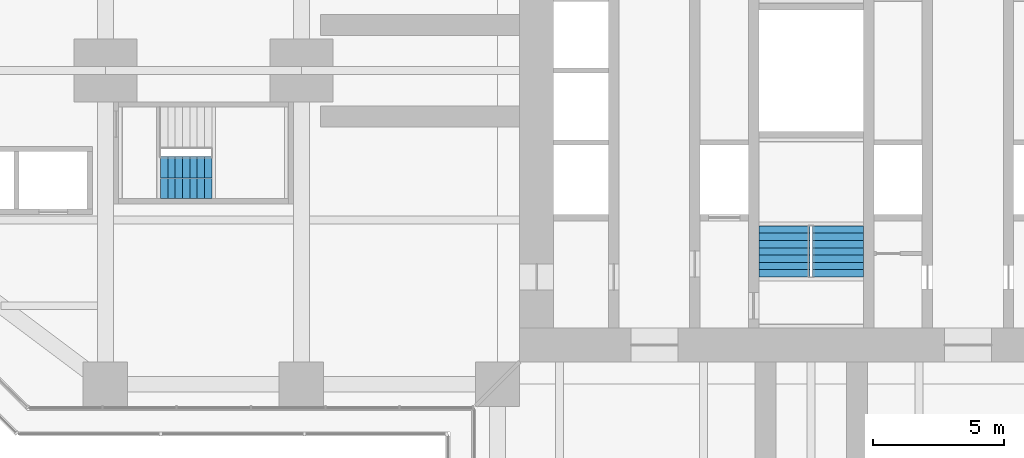
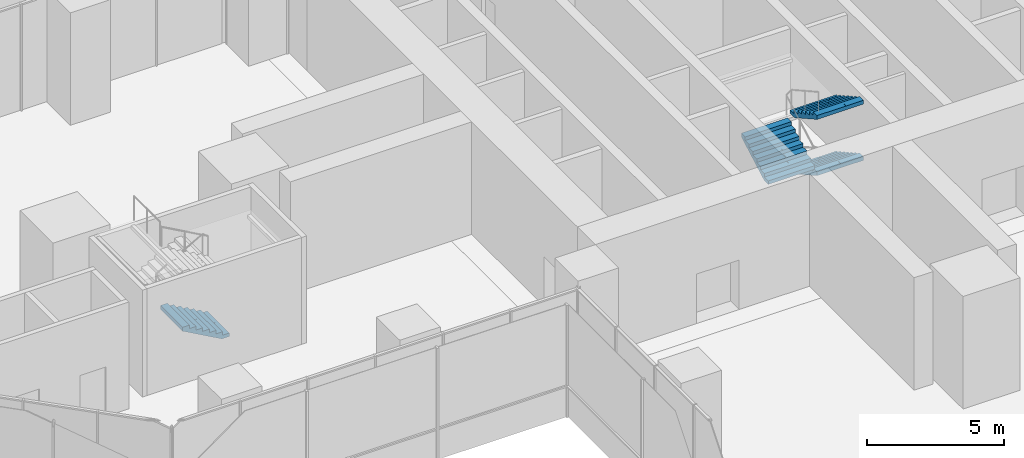
# One storey, part 19 of 23: 4 stair flights, 2 elements without a shape of their own.
"""IFC4 building model written with IfcOpenShell, lengths in metres."""

from ifc_helpers import new_model, si_unit, direction, frame, origin, place, context, subcontext, project, spatial, polyline, outline, extrude, material, type_object, element, aggregate, save


model = new_model("IFC4")

# Units and contexts
model_context = context("Model", 3, precision=1e-05, world=origin(), true_north=direction((0.0, 1.0)))
body_context = subcontext(model_context, "Body", "Model", "MODEL_VIEW")
ifc_project = project(units=[si_unit("LENGTHUNIT", "METRE"), si_unit("AREAUNIT", "SQUARE_METRE"), si_unit("VOLUMEUNIT", "CUBIC_METRE"), si_unit("PLANEANGLEUNIT", "RADIAN"), si_unit("MASSUNIT", "GRAM", prefix="KILO")], contexts=[model_context])

# Site, building, storey
site_placement = place(None, origin())
site = spatial("IfcSite", under=ifc_project, at=site_placement, CompositionType="ELEMENT")
building_placement = place(site_placement, origin())
building = spatial("IfcBuilding", under=site, at=building_placement, Name="Mizan Broadcast Tower", CompositionType="ELEMENT")
storey_placement = place(building_placement, frame((0.0, 0.0, 28.0)))
storey = spatial("IfcBuildingStorey", under=building, at=storey_placement, Name="L04", CompositionType="ELEMENT", Elevation=28.0)

# Stair, stair flights
ifc_material_1 = material(Name="Concrete C40/50", Category="concrete")
stair_type = type_object("IfcStairType", Name="EXIT STAIR", PredefinedType="HALF_TURN_STAIR", material=ifc_material_1)
stair_1_placement = place(storey_placement, origin())
stair_1 = element("IfcStair", 1, at=stair_1_placement, inside=storey, type_object=stair_type, Name="Stair A L04", PredefinedType="HALF_TURN_STAIR")
ifc_material_2 = material(Name="Concrete C40/50", Category="concrete")
stair_flight_type = type_object("IfcStairFlightType", Name="EXIT STAIR FLIGHT", PredefinedType="STRAIGHT", material=ifc_material_2)
stair_flight_1_placement = place(storey_placement, frame((1.02490234375, -5.93994140625, 1.25), z_axis=(0.0, 0.0, 1.0), x_axis=(0.0, -1.0, 0.0)))
stair_flight_1 = element("IfcStairFlight", 2, at=stair_flight_1_placement, type_object=stair_flight_type, Name="A flight 2", NumberOfRisers=8, NumberOfTreads=7, PredefinedType="STRAIGHT", RiserHeight=0.15625, TreadLength=0.28, context=body_context, shape_type="SweptSolid", body=[
    extrude(outline(polyline([(0.0, 0.0), (0.0, 0.15625), (0.280029296875, 0.15625), (0.280029296875, 0.3125), (0.56005859375, 0.3125), (0.56005859375, 0.46875), (0.840087890625, 0.46875), (0.840087890625, 0.625), (1.1201171875, 0.625), (1.1201171875, 0.78125), (1.39990234375, 0.78125), (1.39990234375, 0.9375), (1.679931640625, 0.9375), (1.679931640625, 1.09375), (1.9599609375, 1.09375), (1.9599609375, 1.25), (1.9599609375, 0.922119140625), (0.3076171875, 0.0), (0.0, 0.0)])), frame((0.0, 0.97509765625, 0.0), z_axis=(0.0, -1.0, 0.0), x_axis=(1.0, 0.0, 0.0)), (0.0, 0.0, 1.0), 0.4873046875),
    extrude(outline(polyline([(0.0, 0.0), (0.0, 0.15625), (0.280029296875, 0.15625), (0.280029296875, 0.3125), (0.56005859375, 0.3125), (0.56005859375, 0.46875), (0.840087890625, 0.46875), (0.840087890625, 0.625), (1.1201171875, 0.625), (1.1201171875, 0.78125), (1.39990234375, 0.78125), (1.39990234375, 0.9375), (1.679931640625, 0.9375), (1.679931640625, 1.09375), (1.9599609375, 1.09375), (1.9599609375, 1.25), (1.9599609375, 0.922119140625), (0.3076171875, 0.0), (0.0, 0.0)])), frame((0.0, 0.4873046875, 0.0), z_axis=(0.0, -1.0, 0.0), x_axis=(1.0, 0.0, 0.0)), (0.0, 0.0, 1.0), 0.2431640625),
    extrude(outline(polyline([(0.0, 0.0), (0.0, 0.15625), (0.280029296875, 0.15625), (0.280029296875, 0.3125), (0.56005859375, 0.3125), (0.56005859375, 0.46875), (0.840087890625, 0.46875), (0.840087890625, 0.625), (1.1201171875, 0.625), (1.1201171875, 0.78125), (1.39990234375, 0.78125), (1.39990234375, 0.9375), (1.679931640625, 0.9375), (1.679931640625, 1.09375), (1.9599609375, 1.09375), (1.9599609375, 1.25), (1.9599609375, 0.922119140625), (0.3076171875, 0.0), (0.0, 0.0)])), frame((0.0, 0.24365234375, 0.0), z_axis=(0.0, -1.0, 0.0), x_axis=(1.0, 0.0, 0.0)), (0.0, 0.0, 1.0), 0.121337890625),
    extrude(outline(polyline([(0.0, 0.0), (0.0, 0.15625), (0.280029296875, 0.15625), (0.280029296875, 0.3125), (0.56005859375, 0.3125), (0.56005859375, 0.46875), (0.840087890625, 0.46875), (0.840087890625, 0.625), (1.1201171875, 0.625), (1.1201171875, 0.78125), (1.39990234375, 0.78125), (1.39990234375, 0.9375), (1.679931640625, 0.9375), (1.679931640625, 1.09375), (1.9599609375, 1.09375), (1.9599609375, 1.25), (1.9599609375, 0.922119140625), (0.3076171875, 0.0), (0.0, 0.0)])), frame((0.0, 0.121826171875, 0.0), z_axis=(0.0, -1.0, 0.0), x_axis=(1.0, 0.0, 0.0)), (0.0, 0.0, 1.0), 0.060546875),
    extrude(outline(polyline([(0.0, 0.0), (0.0, 0.15625), (0.280029296875, 0.15625), (0.280029296875, 0.3125), (0.56005859375, 0.3125), (0.56005859375, 0.46875), (0.840087890625, 0.46875), (0.840087890625, 0.625), (1.1201171875, 0.625), (1.1201171875, 0.78125), (1.39990234375, 0.78125), (1.39990234375, 0.9375), (1.679931640625, 0.9375), (1.679931640625, 1.09375), (1.9599609375, 1.09375), (1.9599609375, 1.25), (1.9599609375, 0.922119140625), (0.3076171875, 0.0), (0.0, 0.0)])), frame((0.0, 0.060791015625, 0.0), z_axis=(0.0, -1.0, 0.0), x_axis=(1.0, 0.0, 0.0)), (0.0, 0.0, 1.0), 0.030029296875),
    extrude(outline(polyline([(0.0, 0.0), (0.0, 0.15625), (0.280029296875, 0.15625), (0.280029296875, 0.3125), (0.56005859375, 0.3125), (0.56005859375, 0.46875), (0.840087890625, 0.46875), (0.840087890625, 0.625), (1.1201171875, 0.625), (1.1201171875, 0.78125), (1.39990234375, 0.78125), (1.39990234375, 0.9375), (1.679931640625, 0.9375), (1.679931640625, 1.09375), (1.9599609375, 1.09375), (1.9599609375, 1.25), (1.9599609375, 0.922119140625), (0.3076171875, 0.0), (0.0, 0.0)])), frame((0.0, 0.0302734375, 0.0), z_axis=(0.0, -1.0, 0.0), x_axis=(1.0, 0.0, 0.0)), (0.0, 0.0, 1.0), 0.060302734375),
    extrude(outline(polyline([(0.0, 0.0), (0.0, 0.15625), (0.280029296875, 0.15625), (0.280029296875, 0.3125), (0.56005859375, 0.3125), (0.56005859375, 0.46875), (0.840087890625, 0.46875), (0.840087890625, 0.625), (1.1201171875, 0.625), (1.1201171875, 0.78125), (1.39990234375, 0.78125), (1.39990234375, 0.9375), (1.679931640625, 0.9375), (1.679931640625, 1.09375), (1.9599609375, 1.09375), (1.9599609375, 1.25), (1.9599609375, 0.922119140625), (0.3076171875, 0.0), (0.0, 0.0)])), frame((0.0, -0.030517578125, 0.0), z_axis=(0.0, -1.0, 0.0), x_axis=(1.0, 0.0, 0.0)), (0.0, 0.0, 1.0), 0.030029296875),
    extrude(outline(polyline([(0.0, 0.0), (0.0, 0.15625), (0.280029296875, 0.15625), (0.280029296875, 0.3125), (0.56005859375, 0.3125), (0.56005859375, 0.46875), (0.840087890625, 0.46875), (0.840087890625, 0.625), (1.1201171875, 0.625), (1.1201171875, 0.78125), (1.39990234375, 0.78125), (1.39990234375, 0.9375), (1.679931640625, 0.9375), (1.679931640625, 1.09375), (1.9599609375, 1.09375), (1.9599609375, 1.25), (1.9599609375, 0.922119140625), (0.3076171875, 0.0), (0.0, 0.0)])), frame((0.0, -0.06103515625, 0.0), z_axis=(0.0, -1.0, 0.0), x_axis=(1.0, 0.0, 0.0)), (0.0, 0.0, 1.0), 0.060546875),
    extrude(outline(polyline([(0.0, 0.0), (0.0, 0.15625), (0.280029296875, 0.15625), (0.280029296875, 0.3125), (0.56005859375, 0.3125), (0.56005859375, 0.46875), (0.840087890625, 0.46875), (0.840087890625, 0.625), (1.1201171875, 0.625), (1.1201171875, 0.78125), (1.39990234375, 0.78125), (1.39990234375, 0.9375), (1.679931640625, 0.9375), (1.679931640625, 1.09375), (1.9599609375, 1.09375), (1.9599609375, 1.25), (1.9599609375, 0.922119140625), (0.3076171875, 0.0), (0.0, 0.0)])), frame((0.0, -0.1220703125, 0.0), z_axis=(0.0, -1.0, 0.0), x_axis=(1.0, 0.0, 0.0)), (0.0, 0.0, 1.0), 0.121337890625),
    extrude(outline(polyline([(0.0, 0.0), (0.0, 0.15625), (0.280029296875, 0.15625), (0.280029296875, 0.3125), (0.56005859375, 0.3125), (0.56005859375, 0.46875), (0.840087890625, 0.46875), (0.840087890625, 0.625), (1.1201171875, 0.625), (1.1201171875, 0.78125), (1.39990234375, 0.78125), (1.39990234375, 0.9375), (1.679931640625, 0.9375), (1.679931640625, 1.09375), (1.9599609375, 1.09375), (1.9599609375, 1.25), (1.9599609375, 0.922119140625), (0.3076171875, 0.0), (0.0, 0.0)])), frame((0.0, -0.243896484375, 0.0), z_axis=(0.0, -1.0, 0.0), x_axis=(1.0, 0.0, 0.0)), (0.0, 0.0, 1.0), 0.2431640625),
    extrude(outline(polyline([(0.0, 0.0), (0.0, 0.15625), (0.280029296875, 0.15625), (0.280029296875, 0.3125), (0.56005859375, 0.3125), (0.56005859375, 0.46875), (0.840087890625, 0.46875), (0.840087890625, 0.625), (1.1201171875, 0.625), (1.1201171875, 0.78125), (1.39990234375, 0.78125), (1.39990234375, 0.9375), (1.679931640625, 0.9375), (1.679931640625, 1.09375), (1.9599609375, 1.09375), (1.9599609375, 1.25), (1.9599609375, 0.922119140625), (0.3076171875, 0.0), (0.0, 0.0)])), frame((0.0, -0.487548828125, 0.0), z_axis=(0.0, -1.0, 0.0), x_axis=(1.0, 0.0, 0.0)), (0.0, 0.0, 1.0), 0.4873046875),
])
stair_flight_2_placement = place(storey_placement, frame((-1.02490234375, -7.89990234375, 2.5), z_axis=(0.0, 0.0, 1.0), x_axis=(0.0, 1.0, 0.0)))
stair_flight_2 = element("IfcStairFlight", 3, at=stair_flight_2_placement, type_object=stair_flight_type, Name="A flight 3", NumberOfRisers=8, NumberOfTreads=7, PredefinedType="STRAIGHT", RiserHeight=0.15625, TreadLength=0.28, context=body_context, shape_type="SweptSolid", body=[
    extrude(outline(polyline([(0.0, 0.0), (0.0, 0.15625), (0.280029296875, 0.15625), (0.280029296875, 0.3125), (0.56005859375, 0.3125), (0.56005859375, 0.46875), (0.840087890625, 0.46875), (0.840087890625, 0.625), (1.1201171875, 0.625), (1.1201171875, 0.78125), (1.39990234375, 0.78125), (1.39990234375, 0.9375), (1.679931640625, 0.9375), (1.679931640625, 1.09375), (1.9599609375, 1.09375), (1.9599609375, 1.25), (1.9599609375, 0.922119140625), (0.3076171875, 0.0), (0.0, 0.0)])), frame((0.0, 0.97509765625, 0.0), z_axis=(0.0, -1.0, 0.0), x_axis=(1.0, 0.0, 0.0)), (0.0, 0.0, 1.0), 0.4873046875),
    extrude(outline(polyline([(0.0, 0.0), (0.0, 0.15625), (0.280029296875, 0.15625), (0.280029296875, 0.3125), (0.56005859375, 0.3125), (0.56005859375, 0.46875), (0.840087890625, 0.46875), (0.840087890625, 0.625), (1.1201171875, 0.625), (1.1201171875, 0.78125), (1.39990234375, 0.78125), (1.39990234375, 0.9375), (1.679931640625, 0.9375), (1.679931640625, 1.09375), (1.9599609375, 1.09375), (1.9599609375, 1.25), (1.9599609375, 0.922119140625), (0.3076171875, 0.0), (0.0, 0.0)])), frame((0.0, 0.4873046875, 0.0), z_axis=(0.0, -1.0, 0.0), x_axis=(1.0, 0.0, 0.0)), (0.0, 0.0, 1.0), 0.2431640625),
    extrude(outline(polyline([(0.0, 0.0), (0.0, 0.15625), (0.280029296875, 0.15625), (0.280029296875, 0.3125), (0.56005859375, 0.3125), (0.56005859375, 0.46875), (0.840087890625, 0.46875), (0.840087890625, 0.625), (1.1201171875, 0.625), (1.1201171875, 0.78125), (1.39990234375, 0.78125), (1.39990234375, 0.9375), (1.679931640625, 0.9375), (1.679931640625, 1.09375), (1.9599609375, 1.09375), (1.9599609375, 1.25), (1.9599609375, 0.922119140625), (0.3076171875, 0.0), (0.0, 0.0)])), frame((0.0, 0.24365234375, 0.0), z_axis=(0.0, -1.0, 0.0), x_axis=(1.0, 0.0, 0.0)), (0.0, 0.0, 1.0), 0.121337890625),
    extrude(outline(polyline([(0.0, 0.0), (0.0, 0.15625), (0.280029296875, 0.15625), (0.280029296875, 0.3125), (0.56005859375, 0.3125), (0.56005859375, 0.46875), (0.840087890625, 0.46875), (0.840087890625, 0.625), (1.1201171875, 0.625), (1.1201171875, 0.78125), (1.39990234375, 0.78125), (1.39990234375, 0.9375), (1.679931640625, 0.9375), (1.679931640625, 1.09375), (1.9599609375, 1.09375), (1.9599609375, 1.25), (1.9599609375, 0.922119140625), (0.3076171875, 0.0), (0.0, 0.0)])), frame((0.0, 0.121826171875, 0.0), z_axis=(0.0, -1.0, 0.0), x_axis=(1.0, 0.0, 0.0)), (0.0, 0.0, 1.0), 0.060546875),
    extrude(outline(polyline([(0.0, 0.0), (0.0, 0.15625), (0.280029296875, 0.15625), (0.280029296875, 0.3125), (0.56005859375, 0.3125), (0.56005859375, 0.46875), (0.840087890625, 0.46875), (0.840087890625, 0.625), (1.1201171875, 0.625), (1.1201171875, 0.78125), (1.39990234375, 0.78125), (1.39990234375, 0.9375), (1.679931640625, 0.9375), (1.679931640625, 1.09375), (1.9599609375, 1.09375), (1.9599609375, 1.25), (1.9599609375, 0.922119140625), (0.3076171875, 0.0), (0.0, 0.0)])), frame((0.0, 0.060791015625, 0.0), z_axis=(0.0, -1.0, 0.0), x_axis=(1.0, 0.0, 0.0)), (0.0, 0.0, 1.0), 0.030029296875),
    extrude(outline(polyline([(0.0, 0.0), (0.0, 0.15625), (0.280029296875, 0.15625), (0.280029296875, 0.3125), (0.56005859375, 0.3125), (0.56005859375, 0.46875), (0.840087890625, 0.46875), (0.840087890625, 0.625), (1.1201171875, 0.625), (1.1201171875, 0.78125), (1.39990234375, 0.78125), (1.39990234375, 0.9375), (1.679931640625, 0.9375), (1.679931640625, 1.09375), (1.9599609375, 1.09375), (1.9599609375, 1.25), (1.9599609375, 0.922119140625), (0.3076171875, 0.0), (0.0, 0.0)])), frame((0.0, 0.0302734375, 0.0), z_axis=(0.0, -1.0, 0.0), x_axis=(1.0, 0.0, 0.0)), (0.0, 0.0, 1.0), 0.060302734375),
    extrude(outline(polyline([(0.0, 0.0), (0.0, 0.15625), (0.280029296875, 0.15625), (0.280029296875, 0.3125), (0.56005859375, 0.3125), (0.56005859375, 0.46875), (0.840087890625, 0.46875), (0.840087890625, 0.625), (1.1201171875, 0.625), (1.1201171875, 0.78125), (1.39990234375, 0.78125), (1.39990234375, 0.9375), (1.679931640625, 0.9375), (1.679931640625, 1.09375), (1.9599609375, 1.09375), (1.9599609375, 1.25), (1.9599609375, 0.922119140625), (0.3076171875, 0.0), (0.0, 0.0)])), frame((0.0, -0.030517578125, 0.0), z_axis=(0.0, -1.0, 0.0), x_axis=(1.0, 0.0, 0.0)), (0.0, 0.0, 1.0), 0.030029296875),
    extrude(outline(polyline([(0.0, 0.0), (0.0, 0.15625), (0.280029296875, 0.15625), (0.280029296875, 0.3125), (0.56005859375, 0.3125), (0.56005859375, 0.46875), (0.840087890625, 0.46875), (0.840087890625, 0.625), (1.1201171875, 0.625), (1.1201171875, 0.78125), (1.39990234375, 0.78125), (1.39990234375, 0.9375), (1.679931640625, 0.9375), (1.679931640625, 1.09375), (1.9599609375, 1.09375), (1.9599609375, 1.25), (1.9599609375, 0.922119140625), (0.3076171875, 0.0), (0.0, 0.0)])), frame((0.0, -0.06103515625, 0.0), z_axis=(0.0, -1.0, 0.0), x_axis=(1.0, 0.0, 0.0)), (0.0, 0.0, 1.0), 0.060546875),
    extrude(outline(polyline([(0.0, 0.0), (0.0, 0.15625), (0.280029296875, 0.15625), (0.280029296875, 0.3125), (0.56005859375, 0.3125), (0.56005859375, 0.46875), (0.840087890625, 0.46875), (0.840087890625, 0.625), (1.1201171875, 0.625), (1.1201171875, 0.78125), (1.39990234375, 0.78125), (1.39990234375, 0.9375), (1.679931640625, 0.9375), (1.679931640625, 1.09375), (1.9599609375, 1.09375), (1.9599609375, 1.25), (1.9599609375, 0.922119140625), (0.3076171875, 0.0), (0.0, 0.0)])), frame((0.0, -0.1220703125, 0.0), z_axis=(0.0, -1.0, 0.0), x_axis=(1.0, 0.0, 0.0)), (0.0, 0.0, 1.0), 0.121337890625),
    extrude(outline(polyline([(0.0, 0.0), (0.0, 0.15625), (0.280029296875, 0.15625), (0.280029296875, 0.3125), (0.56005859375, 0.3125), (0.56005859375, 0.46875), (0.840087890625, 0.46875), (0.840087890625, 0.625), (1.1201171875, 0.625), (1.1201171875, 0.78125), (1.39990234375, 0.78125), (1.39990234375, 0.9375), (1.679931640625, 0.9375), (1.679931640625, 1.09375), (1.9599609375, 1.09375), (1.9599609375, 1.25), (1.9599609375, 0.922119140625), (0.3076171875, 0.0), (0.0, 0.0)])), frame((0.0, -0.243896484375, 0.0), z_axis=(0.0, -1.0, 0.0), x_axis=(1.0, 0.0, 0.0)), (0.0, 0.0, 1.0), 0.2431640625),
    extrude(outline(polyline([(0.0, 0.0), (0.0, 0.15625), (0.280029296875, 0.15625), (0.280029296875, 0.3125), (0.56005859375, 0.3125), (0.56005859375, 0.46875), (0.840087890625, 0.46875), (0.840087890625, 0.625), (1.1201171875, 0.625), (1.1201171875, 0.78125), (1.39990234375, 0.78125), (1.39990234375, 0.9375), (1.679931640625, 0.9375), (1.679931640625, 1.09375), (1.9599609375, 1.09375), (1.9599609375, 1.25), (1.9599609375, 0.922119140625), (0.3076171875, 0.0), (0.0, 0.0)])), frame((0.0, -0.487548828125, 0.0), z_axis=(0.0, -1.0, 0.0), x_axis=(1.0, 0.0, 0.0)), (0.0, 0.0, 1.0), 0.4873046875),
])
stair_flight_3_placement = place(storey_placement, frame((1.02490234375, -5.93994140625, 3.75), z_axis=(0.0, 0.0, 1.0), x_axis=(0.0, -1.0, 0.0)))
stair_flight_3 = element("IfcStairFlight", 4, at=stair_flight_3_placement, type_object=stair_flight_type, Name="A flight 4", NumberOfRisers=8, NumberOfTreads=7, PredefinedType="STRAIGHT", RiserHeight=0.15625, TreadLength=0.28, context=body_context, shape_type="SweptSolid", body=[
    extrude(outline(polyline([(0.0, 0.0), (0.0, 0.15625), (0.280029296875, 0.15625), (0.280029296875, 0.3125), (0.56005859375, 0.3125), (0.56005859375, 0.46875), (0.840087890625, 0.46875), (0.840087890625, 0.625), (1.1201171875, 0.625), (1.1201171875, 0.78125), (1.39990234375, 0.78125), (1.39990234375, 0.9375), (1.679931640625, 0.9375), (1.679931640625, 1.09375), (1.9599609375, 1.09375), (1.9599609375, 1.25), (1.9599609375, 0.922119140625), (0.3076171875, 0.0), (0.0, 0.0)])), frame((0.0, 0.97509765625, 0.0), z_axis=(0.0, -1.0, 0.0), x_axis=(1.0, 0.0, 0.0)), (0.0, 0.0, 1.0), 0.4873046875),
    extrude(outline(polyline([(0.0, 0.0), (0.0, 0.15625), (0.280029296875, 0.15625), (0.280029296875, 0.3125), (0.56005859375, 0.3125), (0.56005859375, 0.46875), (0.840087890625, 0.46875), (0.840087890625, 0.625), (1.1201171875, 0.625), (1.1201171875, 0.78125), (1.39990234375, 0.78125), (1.39990234375, 0.9375), (1.679931640625, 0.9375), (1.679931640625, 1.09375), (1.9599609375, 1.09375), (1.9599609375, 1.25), (1.9599609375, 0.922119140625), (0.3076171875, 0.0), (0.0, 0.0)])), frame((0.0, 0.4873046875, 0.0), z_axis=(0.0, -1.0, 0.0), x_axis=(1.0, 0.0, 0.0)), (0.0, 0.0, 1.0), 0.2431640625),
    extrude(outline(polyline([(0.0, 0.0), (0.0, 0.15625), (0.280029296875, 0.15625), (0.280029296875, 0.3125), (0.56005859375, 0.3125), (0.56005859375, 0.46875), (0.840087890625, 0.46875), (0.840087890625, 0.625), (1.1201171875, 0.625), (1.1201171875, 0.78125), (1.39990234375, 0.78125), (1.39990234375, 0.9375), (1.679931640625, 0.9375), (1.679931640625, 1.09375), (1.9599609375, 1.09375), (1.9599609375, 1.25), (1.9599609375, 0.922119140625), (0.3076171875, 0.0), (0.0, 0.0)])), frame((0.0, 0.24365234375, 0.0), z_axis=(0.0, -1.0, 0.0), x_axis=(1.0, 0.0, 0.0)), (0.0, 0.0, 1.0), 0.121337890625),
    extrude(outline(polyline([(0.0, 0.0), (0.0, 0.15625), (0.280029296875, 0.15625), (0.280029296875, 0.3125), (0.56005859375, 0.3125), (0.56005859375, 0.46875), (0.840087890625, 0.46875), (0.840087890625, 0.625), (1.1201171875, 0.625), (1.1201171875, 0.78125), (1.39990234375, 0.78125), (1.39990234375, 0.9375), (1.679931640625, 0.9375), (1.679931640625, 1.09375), (1.9599609375, 1.09375), (1.9599609375, 1.25), (1.9599609375, 0.922119140625), (0.3076171875, 0.0), (0.0, 0.0)])), frame((0.0, 0.121826171875, 0.0), z_axis=(0.0, -1.0, 0.0), x_axis=(1.0, 0.0, 0.0)), (0.0, 0.0, 1.0), 0.060546875),
    extrude(outline(polyline([(0.0, 0.0), (0.0, 0.15625), (0.280029296875, 0.15625), (0.280029296875, 0.3125), (0.56005859375, 0.3125), (0.56005859375, 0.46875), (0.840087890625, 0.46875), (0.840087890625, 0.625), (1.1201171875, 0.625), (1.1201171875, 0.78125), (1.39990234375, 0.78125), (1.39990234375, 0.9375), (1.679931640625, 0.9375), (1.679931640625, 1.09375), (1.9599609375, 1.09375), (1.9599609375, 1.25), (1.9599609375, 0.922119140625), (0.3076171875, 0.0), (0.0, 0.0)])), frame((0.0, 0.060791015625, 0.0), z_axis=(0.0, -1.0, 0.0), x_axis=(1.0, 0.0, 0.0)), (0.0, 0.0, 1.0), 0.030029296875),
    extrude(outline(polyline([(0.0, 0.0), (0.0, 0.15625), (0.280029296875, 0.15625), (0.280029296875, 0.3125), (0.56005859375, 0.3125), (0.56005859375, 0.46875), (0.840087890625, 0.46875), (0.840087890625, 0.625), (1.1201171875, 0.625), (1.1201171875, 0.78125), (1.39990234375, 0.78125), (1.39990234375, 0.9375), (1.679931640625, 0.9375), (1.679931640625, 1.09375), (1.9599609375, 1.09375), (1.9599609375, 1.25), (1.9599609375, 0.922119140625), (0.3076171875, 0.0), (0.0, 0.0)])), frame((0.0, 0.0302734375, 0.0), z_axis=(0.0, -1.0, 0.0), x_axis=(1.0, 0.0, 0.0)), (0.0, 0.0, 1.0), 0.060302734375),
    extrude(outline(polyline([(0.0, 0.0), (0.0, 0.15625), (0.280029296875, 0.15625), (0.280029296875, 0.3125), (0.56005859375, 0.3125), (0.56005859375, 0.46875), (0.840087890625, 0.46875), (0.840087890625, 0.625), (1.1201171875, 0.625), (1.1201171875, 0.78125), (1.39990234375, 0.78125), (1.39990234375, 0.9375), (1.679931640625, 0.9375), (1.679931640625, 1.09375), (1.9599609375, 1.09375), (1.9599609375, 1.25), (1.9599609375, 0.922119140625), (0.3076171875, 0.0), (0.0, 0.0)])), frame((0.0, -0.030517578125, 0.0), z_axis=(0.0, -1.0, 0.0), x_axis=(1.0, 0.0, 0.0)), (0.0, 0.0, 1.0), 0.030029296875),
    extrude(outline(polyline([(0.0, 0.0), (0.0, 0.15625), (0.280029296875, 0.15625), (0.280029296875, 0.3125), (0.56005859375, 0.3125), (0.56005859375, 0.46875), (0.840087890625, 0.46875), (0.840087890625, 0.625), (1.1201171875, 0.625), (1.1201171875, 0.78125), (1.39990234375, 0.78125), (1.39990234375, 0.9375), (1.679931640625, 0.9375), (1.679931640625, 1.09375), (1.9599609375, 1.09375), (1.9599609375, 1.25), (1.9599609375, 0.922119140625), (0.3076171875, 0.0), (0.0, 0.0)])), frame((0.0, -0.06103515625, 0.0), z_axis=(0.0, -1.0, 0.0), x_axis=(1.0, 0.0, 0.0)), (0.0, 0.0, 1.0), 0.060546875),
    extrude(outline(polyline([(0.0, 0.0), (0.0, 0.15625), (0.280029296875, 0.15625), (0.280029296875, 0.3125), (0.56005859375, 0.3125), (0.56005859375, 0.46875), (0.840087890625, 0.46875), (0.840087890625, 0.625), (1.1201171875, 0.625), (1.1201171875, 0.78125), (1.39990234375, 0.78125), (1.39990234375, 0.9375), (1.679931640625, 0.9375), (1.679931640625, 1.09375), (1.9599609375, 1.09375), (1.9599609375, 1.25), (1.9599609375, 0.922119140625), (0.3076171875, 0.0), (0.0, 0.0)])), frame((0.0, -0.1220703125, 0.0), z_axis=(0.0, -1.0, 0.0), x_axis=(1.0, 0.0, 0.0)), (0.0, 0.0, 1.0), 0.121337890625),
    extrude(outline(polyline([(0.0, 0.0), (0.0, 0.15625), (0.280029296875, 0.15625), (0.280029296875, 0.3125), (0.56005859375, 0.3125), (0.56005859375, 0.46875), (0.840087890625, 0.46875), (0.840087890625, 0.625), (1.1201171875, 0.625), (1.1201171875, 0.78125), (1.39990234375, 0.78125), (1.39990234375, 0.9375), (1.679931640625, 0.9375), (1.679931640625, 1.09375), (1.9599609375, 1.09375), (1.9599609375, 1.25), (1.9599609375, 0.922119140625), (0.3076171875, 0.0), (0.0, 0.0)])), frame((0.0, -0.243896484375, 0.0), z_axis=(0.0, -1.0, 0.0), x_axis=(1.0, 0.0, 0.0)), (0.0, 0.0, 1.0), 0.2431640625),
    extrude(outline(polyline([(0.0, 0.0), (0.0, 0.15625), (0.280029296875, 0.15625), (0.280029296875, 0.3125), (0.56005859375, 0.3125), (0.56005859375, 0.46875), (0.840087890625, 0.46875), (0.840087890625, 0.625), (1.1201171875, 0.625), (1.1201171875, 0.78125), (1.39990234375, 0.78125), (1.39990234375, 0.9375), (1.679931640625, 0.9375), (1.679931640625, 1.09375), (1.9599609375, 1.09375), (1.9599609375, 1.25), (1.9599609375, 0.922119140625), (0.3076171875, 0.0), (0.0, 0.0)])), frame((0.0, -0.487548828125, 0.0), z_axis=(0.0, -1.0, 0.0), x_axis=(1.0, 0.0, 0.0)), (0.0, 0.0, 1.0), 0.4873046875),
])
aggregate(stair_1, [stair_flight_1, stair_flight_2, stair_flight_3])

# Stair, stair flight
stair_2_placement = place(storey_placement, origin())
stair_2 = element("IfcStair", 5, at=stair_2_placement, inside=storey, type_object=stair_type, Name="Stair D L04", PredefinedType="HALF_TURN_STAIR")
stair_flight_4_placement = place(storey_placement, frame((-22.929931640625, -4.094970703125, 1.25), z_axis=(0.0, 0.0, 1.0), x_axis=(-1.0, 0.0, 0.0)))
stair_flight_4 = element("IfcStairFlight", 6, at=stair_flight_4_placement, type_object=stair_flight_type, Name="D flight 2", NumberOfRisers=8, NumberOfTreads=7, PredefinedType="STRAIGHT", RiserHeight=0.15625, TreadLength=0.28, context=body_context, shape_type="SweptSolid", body=[
    extrude(outline(polyline([(0.0, 0.0), (0.0, 0.15625), (0.280029296875, 0.15625), (0.280029296875, 0.3125), (0.56005859375, 0.3125), (0.56005859375, 0.46875), (0.840087890625, 0.46875), (0.840087890625, 0.625), (1.1201171875, 0.625), (1.1201171875, 0.78125), (1.39990234375, 0.78125), (1.39990234375, 0.9375), (1.679931640625, 0.9375), (1.679931640625, 1.09375), (1.9599609375, 1.09375), (1.9599609375, 1.25), (1.9599609375, 0.922119140625), (0.3076171875, 0.0), (0.0, 0.0)])), frame((0.0, 0.80517578125, 0.0), z_axis=(0.0, -1.0, 0.0), x_axis=(1.0, 0.0, 0.0)), (0.0, 0.0, 1.0), 0.40234375),
    extrude(outline(polyline([(0.0, 0.0), (0.0, 0.15625), (0.280029296875, 0.15625), (0.280029296875, 0.3125), (0.56005859375, 0.3125), (0.56005859375, 0.46875), (0.840087890625, 0.46875), (0.840087890625, 0.625), (1.1201171875, 0.625), (1.1201171875, 0.78125), (1.39990234375, 0.78125), (1.39990234375, 0.9375), (1.679931640625, 0.9375), (1.679931640625, 1.09375), (1.9599609375, 1.09375), (1.9599609375, 1.25), (1.9599609375, 0.922119140625), (0.3076171875, 0.0), (0.0, 0.0)])), frame((0.0, 0.40234375, 0.0), z_axis=(0.0, -1.0, 0.0), x_axis=(1.0, 0.0, 0.0)), (0.0, 0.0, 1.0), 0.20068359375),
    extrude(outline(polyline([(0.0, 0.0), (0.0, 0.15625), (0.280029296875, 0.15625), (0.280029296875, 0.3125), (0.56005859375, 0.3125), (0.56005859375, 0.46875), (0.840087890625, 0.46875), (0.840087890625, 0.625), (1.1201171875, 0.625), (1.1201171875, 0.78125), (1.39990234375, 0.78125), (1.39990234375, 0.9375), (1.679931640625, 0.9375), (1.679931640625, 1.09375), (1.9599609375, 1.09375), (1.9599609375, 1.25), (1.9599609375, 0.922119140625), (0.3076171875, 0.0), (0.0, 0.0)])), frame((0.0, 0.201171875, 0.0), z_axis=(0.0, -1.0, 0.0), x_axis=(1.0, 0.0, 0.0)), (0.0, 0.0, 1.0), 0.10009765625),
    extrude(outline(polyline([(0.0, 0.0), (0.0, 0.15625), (0.280029296875, 0.15625), (0.280029296875, 0.3125), (0.56005859375, 0.3125), (0.56005859375, 0.46875), (0.840087890625, 0.46875), (0.840087890625, 0.625), (1.1201171875, 0.625), (1.1201171875, 0.78125), (1.39990234375, 0.78125), (1.39990234375, 0.9375), (1.679931640625, 0.9375), (1.679931640625, 1.09375), (1.9599609375, 1.09375), (1.9599609375, 1.25), (1.9599609375, 0.922119140625), (0.3076171875, 0.0), (0.0, 0.0)])), frame((0.0, 0.1005859375, 0.0), z_axis=(0.0, -1.0, 0.0), x_axis=(1.0, 0.0, 0.0)), (0.0, 0.0, 1.0), 0.0498046875),
    extrude(outline(polyline([(0.0, 0.0), (0.0, 0.15625), (0.280029296875, 0.15625), (0.280029296875, 0.3125), (0.56005859375, 0.3125), (0.56005859375, 0.46875), (0.840087890625, 0.46875), (0.840087890625, 0.625), (1.1201171875, 0.625), (1.1201171875, 0.78125), (1.39990234375, 0.78125), (1.39990234375, 0.9375), (1.679931640625, 0.9375), (1.679931640625, 1.09375), (1.9599609375, 1.09375), (1.9599609375, 1.25), (1.9599609375, 0.922119140625), (0.3076171875, 0.0), (0.0, 0.0)])), frame((0.0, 0.05029296875, 0.0), z_axis=(0.0, -1.0, 0.0), x_axis=(1.0, 0.0, 0.0)), (0.0, 0.0, 1.0), 0.024658203125),
    extrude(outline(polyline([(0.0, 0.0), (0.0, 0.15625), (0.280029296875, 0.15625), (0.280029296875, 0.3125), (0.56005859375, 0.3125), (0.56005859375, 0.46875), (0.840087890625, 0.46875), (0.840087890625, 0.625), (1.1201171875, 0.625), (1.1201171875, 0.78125), (1.39990234375, 0.78125), (1.39990234375, 0.9375), (1.679931640625, 0.9375), (1.679931640625, 1.09375), (1.9599609375, 1.09375), (1.9599609375, 1.25), (1.9599609375, 0.922119140625), (0.3076171875, 0.0), (0.0, 0.0)])), frame((0.0, 0.025146484375, 0.0), z_axis=(0.0, -1.0, 0.0), x_axis=(1.0, 0.0, 0.0)), (0.0, 0.0, 1.0), 0.050048828125),
    extrude(outline(polyline([(0.0, 0.0), (0.0, 0.15625), (0.280029296875, 0.15625), (0.280029296875, 0.3125), (0.56005859375, 0.3125), (0.56005859375, 0.46875), (0.840087890625, 0.46875), (0.840087890625, 0.625), (1.1201171875, 0.625), (1.1201171875, 0.78125), (1.39990234375, 0.78125), (1.39990234375, 0.9375), (1.679931640625, 0.9375), (1.679931640625, 1.09375), (1.9599609375, 1.09375), (1.9599609375, 1.25), (1.9599609375, 0.922119140625), (0.3076171875, 0.0), (0.0, 0.0)])), frame((0.0, -0.025390625, 0.0), z_axis=(0.0, -1.0, 0.0), x_axis=(1.0, 0.0, 0.0)), (0.0, 0.0, 1.0), 0.024658203125),
    extrude(outline(polyline([(0.0, 0.0), (0.0, 0.15625), (0.280029296875, 0.15625), (0.280029296875, 0.3125), (0.56005859375, 0.3125), (0.56005859375, 0.46875), (0.840087890625, 0.46875), (0.840087890625, 0.625), (1.1201171875, 0.625), (1.1201171875, 0.78125), (1.39990234375, 0.78125), (1.39990234375, 0.9375), (1.679931640625, 0.9375), (1.679931640625, 1.09375), (1.9599609375, 1.09375), (1.9599609375, 1.25), (1.9599609375, 0.922119140625), (0.3076171875, 0.0), (0.0, 0.0)])), frame((0.0, -0.050537109375, 0.0), z_axis=(0.0, -1.0, 0.0), x_axis=(1.0, 0.0, 0.0)), (0.0, 0.0, 1.0), 0.0498046875),
    extrude(outline(polyline([(0.0, 0.0), (0.0, 0.15625), (0.280029296875, 0.15625), (0.280029296875, 0.3125), (0.56005859375, 0.3125), (0.56005859375, 0.46875), (0.840087890625, 0.46875), (0.840087890625, 0.625), (1.1201171875, 0.625), (1.1201171875, 0.78125), (1.39990234375, 0.78125), (1.39990234375, 0.9375), (1.679931640625, 0.9375), (1.679931640625, 1.09375), (1.9599609375, 1.09375), (1.9599609375, 1.25), (1.9599609375, 0.922119140625), (0.3076171875, 0.0), (0.0, 0.0)])), frame((0.0, -0.100830078125, 0.0), z_axis=(0.0, -1.0, 0.0), x_axis=(1.0, 0.0, 0.0)), (0.0, 0.0, 1.0), 0.10009765625),
    extrude(outline(polyline([(0.0, 0.0), (0.0, 0.15625), (0.280029296875, 0.15625), (0.280029296875, 0.3125), (0.56005859375, 0.3125), (0.56005859375, 0.46875), (0.840087890625, 0.46875), (0.840087890625, 0.625), (1.1201171875, 0.625), (1.1201171875, 0.78125), (1.39990234375, 0.78125), (1.39990234375, 0.9375), (1.679931640625, 0.9375), (1.679931640625, 1.09375), (1.9599609375, 1.09375), (1.9599609375, 1.25), (1.9599609375, 0.922119140625), (0.3076171875, 0.0), (0.0, 0.0)])), frame((0.0, -0.201416015625, 0.0), z_axis=(0.0, -1.0, 0.0), x_axis=(1.0, 0.0, 0.0)), (0.0, 0.0, 1.0), 0.20068359375),
    extrude(outline(polyline([(0.0, 0.0), (0.0, 0.15625), (0.280029296875, 0.15625), (0.280029296875, 0.3125), (0.56005859375, 0.3125), (0.56005859375, 0.46875), (0.840087890625, 0.46875), (0.840087890625, 0.625), (1.1201171875, 0.625), (1.1201171875, 0.78125), (1.39990234375, 0.78125), (1.39990234375, 0.9375), (1.679931640625, 0.9375), (1.679931640625, 1.09375), (1.9599609375, 1.09375), (1.9599609375, 1.25), (1.9599609375, 0.922119140625), (0.3076171875, 0.0), (0.0, 0.0)])), frame((0.0, -0.402587890625, 0.0), z_axis=(0.0, -1.0, 0.0), x_axis=(1.0, 0.0, 0.0)), (0.0, 0.0, 1.0), 0.40234375),
])
aggregate(stair_2, [stair_flight_4])

save(model, "model.ifc")
